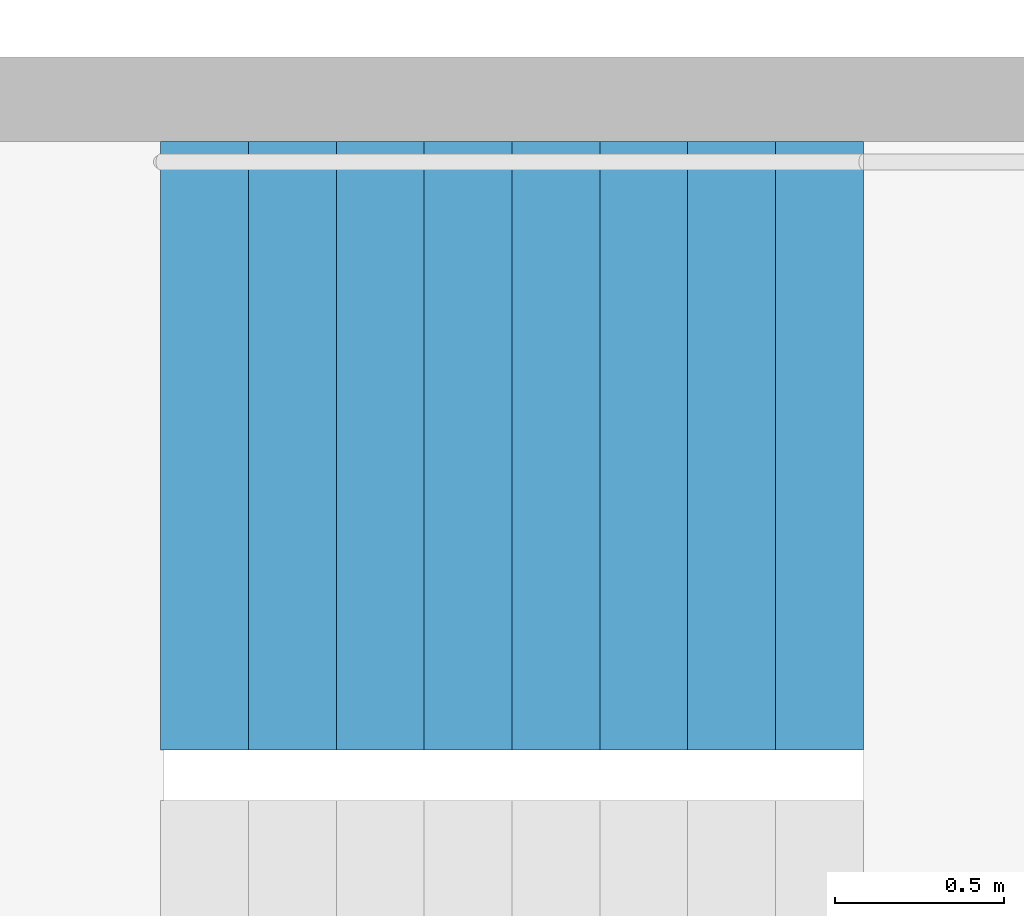
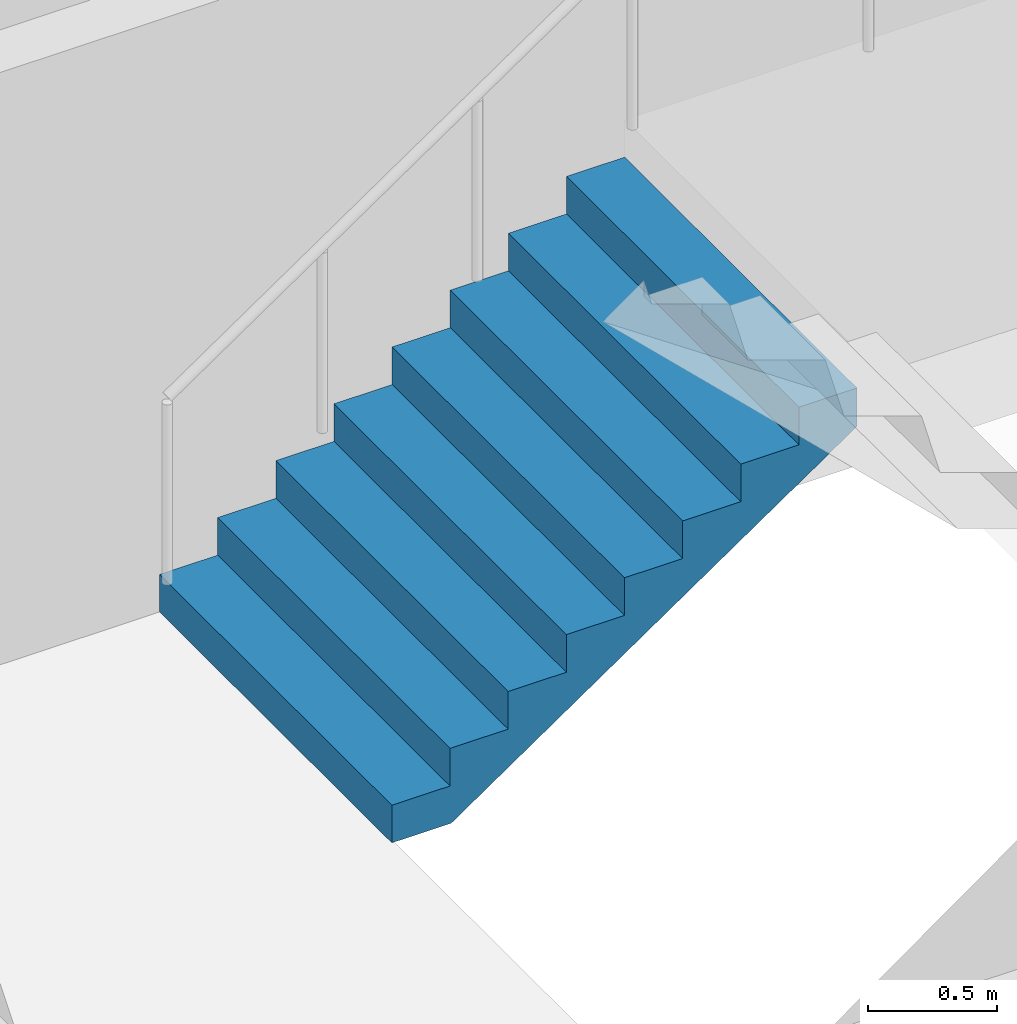
# One storey, part 26 of 29: 1 stair flight, 1 element without a shape of its own.
"""IFC4 building model written with IfcOpenShell, lengths in metres."""

from ifc_helpers import new_model, si_unit, direction, frame, origin, place, context, subcontext, project, spatial, triangles, material, type_object, element, aggregate, save


model = new_model("IFC4")

# Units and contexts
model_context = context("Model", 3, precision=1e-05, world=origin(), true_north=direction((0.0, 1.0)))
body_context = subcontext(model_context, "Body", "Model", "MODEL_VIEW")
ifc_project = project(units=[si_unit("LENGTHUNIT", "METRE"), si_unit("AREAUNIT", "SQUARE_METRE"), si_unit("VOLUMEUNIT", "CUBIC_METRE"), si_unit("PLANEANGLEUNIT", "RADIAN"), si_unit("MASSUNIT", "GRAM", prefix="KILO")], contexts=[model_context])

# Site, building, storey
site_placement = place(None, origin())
site = spatial("IfcSite", under=ifc_project, at=site_placement, CompositionType="ELEMENT")
building_placement = place(site_placement, origin())
building = spatial("IfcBuilding", under=site, at=building_placement, Name="Hakoniwa Tower and Hamabe Station Hall", CompositionType="ELEMENT")
storey_placement = place(building_placement, frame((0.0, 0.0, 110.60009765625)))
storey = spatial("IfcBuildingStorey", under=building, at=storey_placement, Name="L31", CompositionType="ELEMENT", Elevation=110.60009765625)

# Stair, stair flight
ifc_material_1 = material(Name="Concrete C40", Category="concrete")
stair_type = type_object("IfcStairType", Name="ESCAPE STAIR 1800", PredefinedType="HALF_TURN_STAIR", material=ifc_material_1)
stair_placement = place(storey_placement, origin())
stair = element("IfcStair", 1, at=stair_placement, inside=storey, type_object=stair_type, Name="Escape stair ST-4 L31", PredefinedType="HALF_TURN_STAIR")
ifc_material_2 = material(Name="Concrete C40", Category="concrete")
stair_flight_type = type_object("IfcStairFlightType", Name="STAIR FLIGHT 1800", PredefinedType="STRAIGHT", material=ifc_material_2)
stair_flight_placement = place(storey_placement, frame((23.39990234375, -4.64990234375, 0.0), z_axis=(0.0, 0.0, 1.0), x_axis=(1.0, 0.0, 0.0)))
stair_flight = element("IfcStairFlight", 2, at=stair_flight_placement, type_object=stair_flight_type, Name="ST-4 flight 1", NumberOfRisers=9, NumberOfTreads=8, PredefinedType="STRAIGHT", RiserHeight=0.177777778, TreadLength=0.26, context=body_context, shape_type="Tessellation", body=[
    triangles([(0.0, 0.89990234375, 0.0), (0.260009765625, 0.89990234375, 0.0), (0.265625, 0.89990234375, 0.0), (0.52001953125, 0.89990234375, 0.174072265625), (0.780029296875, 0.89990234375, 0.351806640625), (1.0400390625, 0.89990234375, 0.529541015625), (1.300048828125, 0.89990234375, 0.707275390625), (1.56005859375, 0.89990234375, 0.885009765625), (1.820068359375, 0.89990234375, 1.062744140625), (2.080078125, 0.89990234375, 1.24072265625), (2.080078125, 0.89990234375, 1.422119140625), (1.820068359375, 0.89990234375, 1.422119140625), (1.820068359375, 0.89990234375, 1.244384765625), (1.56005859375, 0.89990234375, 1.244384765625), (1.56005859375, 0.89990234375, 1.066650390625), (1.300048828125, 0.89990234375, 1.066650390625), (1.300048828125, 0.89990234375, 0.888916015625), (1.0400390625, 0.89990234375, 0.888916015625), (1.0400390625, 0.89990234375, 0.711181640625), (0.780029296875, 0.89990234375, 0.711181640625), (0.780029296875, 0.89990234375, 0.533447265625), (0.52001953125, 0.89990234375, 0.533447265625), (0.52001953125, 0.89990234375, 0.35546875), (0.265625, 0.89990234375, 0.35546875), (0.260009765625, 0.89990234375, 0.35546875), (0.260009765625, 0.89990234375, 0.177734375), (0.0, 0.89990234375, 0.177734375), (0.0, 0.06005859375, 0.0), (0.260009765625, 0.06005859375, 0.0), (0.265625, 0.06005859375, 0.0), (0.52001953125, 0.06005859375, 0.174072265625), (0.780029296875, 0.06005859375, 0.351806640625), (1.0400390625, 0.06005859375, 0.529541015625), (1.300048828125, 0.06005859375, 0.707275390625), (1.56005859375, 0.06005859375, 0.885009765625), (1.820068359375, 0.06005859375, 1.062744140625), (2.080078125, 0.06005859375, 1.24072265625), (2.080078125, 0.06005859375, 1.422119140625), (1.820068359375, 0.06005859375, 1.422119140625), (1.820068359375, 0.06005859375, 1.244384765625), (1.56005859375, 0.06005859375, 1.244384765625), (1.56005859375, 0.06005859375, 1.066650390625), (1.300048828125, 0.06005859375, 1.066650390625), (1.300048828125, 0.06005859375, 0.888916015625), (1.0400390625, 0.06005859375, 0.888916015625), (1.0400390625, 0.06005859375, 0.711181640625), (0.780029296875, 0.06005859375, 0.711181640625), (0.780029296875, 0.06005859375, 0.533447265625), (0.52001953125, 0.06005859375, 0.533447265625), (0.52001953125, 0.06005859375, 0.35546875), (0.265625, 0.06005859375, 0.35546875), (0.260009765625, 0.06005859375, 0.35546875), (0.260009765625, 0.06005859375, 0.177734375), (0.0, 0.06005859375, 0.177734375), (0.0, 0.04296875, 0.0), (0.260009765625, 0.04296875, 0.0), (0.265625, 0.04296875, 0.0), (0.52001953125, 0.04296875, 0.174072265625), (0.780029296875, 0.04296875, 0.351806640625), (1.0400390625, 0.04296875, 0.529541015625), (1.300048828125, 0.04296875, 0.707275390625), (1.56005859375, 0.04296875, 0.885009765625), (1.820068359375, 0.04296875, 1.062744140625), (2.080078125, 0.04296875, 1.24072265625), (2.080078125, 0.04296875, 1.422119140625), (1.820068359375, 0.04296875, 1.422119140625), (1.820068359375, 0.04296875, 1.244384765625), (1.56005859375, 0.04296875, 1.244384765625), (1.56005859375, 0.04296875, 1.066650390625), (1.300048828125, 0.04296875, 1.066650390625), (1.300048828125, 0.04296875, 0.888916015625), (1.0400390625, 0.04296875, 0.888916015625), (1.0400390625, 0.04296875, 0.711181640625), (0.780029296875, 0.04296875, 0.711181640625), (0.780029296875, 0.04296875, 0.533447265625), (0.52001953125, 0.04296875, 0.533447265625), (0.52001953125, 0.04296875, 0.35546875), (0.265625, 0.04296875, 0.35546875), (0.260009765625, 0.04296875, 0.35546875), (0.260009765625, 0.04296875, 0.177734375), (0.0, 0.04296875, 0.177734375), (0.0, 0.025634765625, 0.0), (0.260009765625, 0.025634765625, 0.0), (0.265625, 0.025634765625, 0.0), (0.52001953125, 0.025634765625, 0.174072265625), (0.780029296875, 0.025634765625, 0.351806640625), (1.0400390625, 0.025634765625, 0.529541015625), (1.300048828125, 0.025634765625, 0.707275390625), (1.56005859375, 0.025634765625, 0.885009765625), (1.820068359375, 0.025634765625, 1.062744140625), (2.080078125, 0.025634765625, 1.24072265625), (2.080078125, 0.025634765625, 1.422119140625), (1.820068359375, 0.025634765625, 1.422119140625), (1.820068359375, 0.025634765625, 1.244384765625), (1.56005859375, 0.025634765625, 1.244384765625), (1.56005859375, 0.025634765625, 1.066650390625), (1.300048828125, 0.025634765625, 1.066650390625), (1.300048828125, 0.025634765625, 0.888916015625), (1.0400390625, 0.025634765625, 0.888916015625), (1.0400390625, 0.025634765625, 0.711181640625), (0.780029296875, 0.025634765625, 0.711181640625), (0.780029296875, 0.025634765625, 0.533447265625), (0.52001953125, 0.025634765625, 0.533447265625), (0.52001953125, 0.025634765625, 0.35546875), (0.265625, 0.025634765625, 0.35546875), (0.260009765625, 0.025634765625, 0.35546875), (0.260009765625, 0.025634765625, 0.177734375), (0.0, 0.025634765625, 0.177734375), (0.0, 0.008544921875, 0.0), (0.260009765625, 0.008544921875, 0.0), (0.265625, 0.008544921875, 0.0), (0.52001953125, 0.008544921875, 0.174072265625), (0.780029296875, 0.008544921875, 0.351806640625), (1.0400390625, 0.008544921875, 0.529541015625), (1.300048828125, 0.008544921875, 0.707275390625), (1.56005859375, 0.008544921875, 0.885009765625), (1.820068359375, 0.008544921875, 1.062744140625), (2.080078125, 0.008544921875, 1.24072265625), (2.080078125, 0.008544921875, 1.422119140625), (1.820068359375, 0.008544921875, 1.422119140625), (1.820068359375, 0.008544921875, 1.244384765625), (1.56005859375, 0.008544921875, 1.244384765625), (1.56005859375, 0.008544921875, 1.066650390625), (1.300048828125, 0.008544921875, 1.066650390625), (1.300048828125, 0.008544921875, 0.888916015625), (1.0400390625, 0.008544921875, 0.888916015625), (1.0400390625, 0.008544921875, 0.711181640625), (0.780029296875, 0.008544921875, 0.711181640625), (0.780029296875, 0.008544921875, 0.533447265625), (0.52001953125, 0.008544921875, 0.533447265625), (0.52001953125, 0.008544921875, 0.35546875), (0.265625, 0.008544921875, 0.35546875), (0.260009765625, 0.008544921875, 0.35546875), (0.260009765625, 0.008544921875, 0.177734375), (0.0, 0.008544921875, 0.177734375), (0.0, -0.008544921875, 0.0), (0.260009765625, -0.008544921875, 0.0), (0.265625, -0.008544921875, 0.0), (0.52001953125, -0.008544921875, 0.174072265625), (0.780029296875, -0.008544921875, 0.351806640625), (1.0400390625, -0.008544921875, 0.529541015625), (1.300048828125, -0.008544921875, 0.707275390625), (1.56005859375, -0.008544921875, 0.885009765625), (1.820068359375, -0.008544921875, 1.062744140625), (2.080078125, -0.008544921875, 1.24072265625), (2.080078125, -0.008544921875, 1.422119140625), (1.820068359375, -0.008544921875, 1.422119140625), (1.820068359375, -0.008544921875, 1.244384765625), (1.56005859375, -0.008544921875, 1.244384765625), (1.56005859375, -0.008544921875, 1.066650390625), (1.300048828125, -0.008544921875, 1.066650390625), (1.300048828125, -0.008544921875, 0.888916015625), (1.0400390625, -0.008544921875, 0.888916015625), (1.0400390625, -0.008544921875, 0.711181640625), (0.780029296875, -0.008544921875, 0.711181640625), (0.780029296875, -0.008544921875, 0.533447265625), (0.52001953125, -0.008544921875, 0.533447265625), (0.52001953125, -0.008544921875, 0.35546875), (0.265625, -0.008544921875, 0.35546875), (0.260009765625, -0.008544921875, 0.35546875), (0.260009765625, -0.008544921875, 0.177734375), (0.0, -0.008544921875, 0.177734375), (0.0, -0.025634765625, 0.0), (0.260009765625, -0.025634765625, 0.0), (0.265625, -0.025634765625, 0.0), (0.52001953125, -0.025634765625, 0.174072265625), (0.780029296875, -0.025634765625, 0.351806640625), (1.0400390625, -0.025634765625, 0.529541015625), (1.300048828125, -0.025634765625, 0.707275390625), (1.56005859375, -0.025634765625, 0.885009765625), (1.820068359375, -0.025634765625, 1.062744140625), (2.080078125, -0.025634765625, 1.24072265625), (2.080078125, -0.025634765625, 1.422119140625), (1.820068359375, -0.025634765625, 1.422119140625), (1.820068359375, -0.025634765625, 1.244384765625), (1.56005859375, -0.025634765625, 1.244384765625), (1.56005859375, -0.025634765625, 1.066650390625), (1.300048828125, -0.025634765625, 1.066650390625), (1.300048828125, -0.025634765625, 0.888916015625), (1.0400390625, -0.025634765625, 0.888916015625), (1.0400390625, -0.025634765625, 0.711181640625), (0.780029296875, -0.025634765625, 0.711181640625), (0.780029296875, -0.025634765625, 0.533447265625), (0.52001953125, -0.025634765625, 0.533447265625), (0.52001953125, -0.025634765625, 0.35546875), (0.265625, -0.025634765625, 0.35546875), (0.260009765625, -0.025634765625, 0.35546875), (0.260009765625, -0.025634765625, 0.177734375), (0.0, -0.025634765625, 0.177734375), (0.0, -0.04296875, 0.0), (0.260009765625, -0.04296875, 0.0), (0.265625, -0.04296875, 0.0), (0.52001953125, -0.04296875, 0.174072265625), (0.780029296875, -0.04296875, 0.351806640625), (1.0400390625, -0.04296875, 0.529541015625), (1.300048828125, -0.04296875, 0.707275390625), (1.56005859375, -0.04296875, 0.885009765625), (1.820068359375, -0.04296875, 1.062744140625), (2.080078125, -0.04296875, 1.24072265625), (2.080078125, -0.04296875, 1.422119140625), (1.820068359375, -0.04296875, 1.422119140625), (1.820068359375, -0.04296875, 1.244384765625), (1.56005859375, -0.04296875, 1.244384765625), (1.56005859375, -0.04296875, 1.066650390625), (1.300048828125, -0.04296875, 1.066650390625), (1.300048828125, -0.04296875, 0.888916015625), (1.0400390625, -0.04296875, 0.888916015625), (1.0400390625, -0.04296875, 0.711181640625), (0.780029296875, -0.04296875, 0.711181640625), (0.780029296875, -0.04296875, 0.533447265625), (0.52001953125, -0.04296875, 0.533447265625), (0.52001953125, -0.04296875, 0.35546875), (0.265625, -0.04296875, 0.35546875), (0.260009765625, -0.04296875, 0.35546875), (0.260009765625, -0.04296875, 0.177734375), (0.0, -0.04296875, 0.177734375), (0.0, -0.06005859375, 0.0), (0.260009765625, -0.06005859375, 0.0), (0.265625, -0.06005859375, 0.0), (0.52001953125, -0.06005859375, 0.174072265625), (0.780029296875, -0.06005859375, 0.351806640625), (1.0400390625, -0.06005859375, 0.529541015625), (1.300048828125, -0.06005859375, 0.707275390625), (1.56005859375, -0.06005859375, 0.885009765625), (1.820068359375, -0.06005859375, 1.062744140625), (2.080078125, -0.06005859375, 1.24072265625), (2.080078125, -0.06005859375, 1.422119140625), (1.820068359375, -0.06005859375, 1.422119140625), (1.820068359375, -0.06005859375, 1.244384765625), (1.56005859375, -0.06005859375, 1.244384765625), (1.56005859375, -0.06005859375, 1.066650390625), (1.300048828125, -0.06005859375, 1.066650390625), (1.300048828125, -0.06005859375, 0.888916015625), (1.0400390625, -0.06005859375, 0.888916015625), (1.0400390625, -0.06005859375, 0.711181640625), (0.780029296875, -0.06005859375, 0.711181640625), (0.780029296875, -0.06005859375, 0.533447265625), (0.52001953125, -0.06005859375, 0.533447265625), (0.52001953125, -0.06005859375, 0.35546875), (0.265625, -0.06005859375, 0.35546875), (0.260009765625, -0.06005859375, 0.35546875), (0.260009765625, -0.06005859375, 0.177734375), (0.0, -0.06005859375, 0.177734375), (0.0, -0.89990234375, 0.0), (0.260009765625, -0.89990234375, 0.0), (0.265625, -0.89990234375, 0.0), (0.52001953125, -0.89990234375, 0.174072265625), (0.780029296875, -0.89990234375, 0.351806640625), (1.0400390625, -0.89990234375, 0.529541015625), (1.300048828125, -0.89990234375, 0.707275390625), (1.56005859375, -0.89990234375, 0.885009765625), (1.820068359375, -0.89990234375, 1.062744140625), (2.080078125, -0.89990234375, 1.24072265625), (2.080078125, -0.89990234375, 1.422119140625), (1.820068359375, -0.89990234375, 1.422119140625), (1.820068359375, -0.89990234375, 1.244384765625), (1.56005859375, -0.89990234375, 1.244384765625), (1.56005859375, -0.89990234375, 1.066650390625), (1.300048828125, -0.89990234375, 1.066650390625), (1.300048828125, -0.89990234375, 0.888916015625), (1.0400390625, -0.89990234375, 0.888916015625), (1.0400390625, -0.89990234375, 0.711181640625), (0.780029296875, -0.89990234375, 0.711181640625), (0.780029296875, -0.89990234375, 0.533447265625), (0.52001953125, -0.89990234375, 0.533447265625), (0.52001953125, -0.89990234375, 0.35546875), (0.265625, -0.89990234375, 0.35546875), (0.260009765625, -0.89990234375, 0.35546875), (0.260009765625, -0.89990234375, 0.177734375), (0.0, -0.89990234375, 0.177734375)], [[2, 27, 26], [245, 269, 270], [2, 1, 27], [245, 270, 244], [3, 25, 24], [246, 267, 268], [3, 26, 25], [246, 268, 269], [3, 2, 26], [246, 269, 245], [4, 24, 23], [247, 266, 267], [4, 3, 24], [247, 267, 246], [5, 22, 21], [248, 264, 265], [5, 23, 22], [248, 265, 266], [5, 4, 23], [248, 266, 247], [6, 20, 19], [249, 262, 263], [6, 21, 20], [249, 263, 264], [6, 5, 21], [249, 264, 248], [7, 18, 17], [250, 260, 261], [7, 19, 18], [250, 261, 262], [7, 6, 19], [250, 262, 249], [8, 16, 15], [251, 258, 259], [8, 17, 16], [251, 259, 260], [8, 7, 17], [251, 260, 250], [9, 14, 13], [252, 256, 257], [9, 15, 14], [252, 257, 258], [9, 8, 15], [252, 258, 251], [10, 12, 11], [253, 254, 255], [10, 13, 12], [253, 255, 256], [10, 9, 13], [253, 256, 252], [1, 2, 29], [1, 29, 28], [28, 29, 56], [28, 56, 55], [55, 56, 83], [55, 83, 82], [82, 83, 110], [82, 110, 109], [109, 110, 137], [109, 137, 136], [136, 137, 164], [136, 164, 163], [163, 164, 191], [163, 191, 190], [190, 191, 218], [190, 218, 217], [217, 218, 245], [217, 245, 244], [2, 3, 30], [2, 30, 29], [29, 30, 57], [29, 57, 56], [56, 57, 84], [56, 84, 83], [83, 84, 111], [83, 111, 110], [110, 111, 138], [110, 138, 137], [137, 138, 165], [137, 165, 164], [164, 165, 192], [164, 192, 191], [191, 192, 219], [191, 219, 218], [218, 219, 246], [218, 246, 245], [3, 4, 31], [3, 31, 30], [30, 31, 58], [30, 58, 57], [57, 58, 85], [57, 85, 84], [84, 85, 112], [84, 112, 111], [111, 112, 139], [111, 139, 138], [138, 139, 166], [138, 166, 165], [165, 166, 193], [165, 193, 192], [192, 193, 220], [192, 220, 219], [219, 220, 247], [219, 247, 246], [4, 5, 32], [4, 32, 31], [31, 32, 59], [31, 59, 58], [58, 59, 86], [58, 86, 85], [85, 86, 113], [85, 113, 112], [112, 113, 140], [112, 140, 139], [139, 140, 167], [139, 167, 166], [166, 167, 194], [166, 194, 193], [193, 194, 221], [193, 221, 220], [220, 221, 248], [220, 248, 247], [5, 6, 33], [5, 33, 32], [32, 33, 60], [32, 60, 59], [59, 60, 87], [59, 87, 86], [86, 87, 114], [86, 114, 113], [113, 114, 141], [113, 141, 140], [140, 141, 168], [140, 168, 167], [167, 168, 195], [167, 195, 194], [194, 195, 222], [194, 222, 221], [221, 222, 249], [221, 249, 248], [6, 7, 34], [6, 34, 33], [33, 34, 61], [33, 61, 60], [60, 61, 88], [60, 88, 87], [87, 88, 115], [87, 115, 114], [114, 115, 142], [114, 142, 141], [141, 142, 169], [141, 169, 168], [168, 169, 196], [168, 196, 195], [195, 196, 223], [195, 223, 222], [222, 223, 250], [222, 250, 249], [7, 8, 35], [7, 35, 34], [34, 35, 62], [34, 62, 61], [61, 62, 89], [61, 89, 88], [88, 89, 116], [88, 116, 115], [115, 116, 143], [115, 143, 142], [142, 143, 170], [142, 170, 169], [169, 170, 197], [169, 197, 196], [196, 197, 224], [196, 224, 223], [223, 224, 251], [223, 251, 250], [8, 9, 36], [8, 36, 35], [35, 36, 63], [35, 63, 62], [62, 63, 90], [62, 90, 89], [89, 90, 117], [89, 117, 116], [116, 117, 144], [116, 144, 143], [143, 144, 171], [143, 171, 170], [170, 171, 198], [170, 198, 197], [197, 198, 225], [197, 225, 224], [224, 225, 252], [224, 252, 251], [9, 10, 37], [9, 37, 36], [36, 37, 64], [36, 64, 63], [63, 64, 91], [63, 91, 90], [90, 91, 118], [90, 118, 117], [117, 118, 145], [117, 145, 144], [144, 145, 172], [144, 172, 171], [171, 172, 199], [171, 199, 198], [198, 199, 226], [198, 226, 225], [225, 226, 253], [225, 253, 252], [10, 11, 38], [10, 38, 37], [37, 38, 65], [37, 65, 64], [64, 65, 92], [64, 92, 91], [91, 92, 119], [91, 119, 118], [118, 119, 146], [118, 146, 145], [145, 146, 173], [145, 173, 172], [172, 173, 200], [172, 200, 199], [199, 200, 227], [199, 227, 226], [226, 227, 254], [226, 254, 253], [11, 12, 39], [11, 39, 38], [38, 39, 66], [38, 66, 65], [65, 66, 93], [65, 93, 92], [92, 93, 120], [92, 120, 119], [119, 120, 147], [119, 147, 146], [146, 147, 174], [146, 174, 173], [173, 174, 201], [173, 201, 200], [200, 201, 228], [200, 228, 227], [227, 228, 255], [227, 255, 254], [12, 13, 40], [12, 40, 39], [39, 40, 67], [39, 67, 66], [66, 67, 94], [66, 94, 93], [93, 94, 121], [93, 121, 120], [120, 121, 148], [120, 148, 147], [147, 148, 175], [147, 175, 174], [174, 175, 202], [174, 202, 201], [201, 202, 229], [201, 229, 228], [228, 229, 256], [228, 256, 255], [13, 14, 41], [13, 41, 40], [40, 41, 68], [40, 68, 67], [67, 68, 95], [67, 95, 94], [94, 95, 122], [94, 122, 121], [121, 122, 149], [121, 149, 148], [148, 149, 176], [148, 176, 175], [175, 176, 203], [175, 203, 202], [202, 203, 230], [202, 230, 229], [229, 230, 257], [229, 257, 256], [14, 15, 42], [14, 42, 41], [41, 42, 69], [41, 69, 68], [68, 69, 96], [68, 96, 95], [95, 96, 123], [95, 123, 122], [122, 123, 150], [122, 150, 149], [149, 150, 177], [149, 177, 176], [176, 177, 204], [176, 204, 203], [203, 204, 231], [203, 231, 230], [230, 231, 258], [230, 258, 257], [15, 16, 43], [15, 43, 42], [42, 43, 70], [42, 70, 69], [69, 70, 97], [69, 97, 96], [96, 97, 124], [96, 124, 123], [123, 124, 151], [123, 151, 150], [150, 151, 178], [150, 178, 177], [177, 178, 205], [177, 205, 204], [204, 205, 232], [204, 232, 231], [231, 232, 259], [231, 259, 258], [16, 17, 44], [16, 44, 43], [43, 44, 71], [43, 71, 70], [70, 71, 98], [70, 98, 97], [97, 98, 125], [97, 125, 124], [124, 125, 152], [124, 152, 151], [151, 152, 179], [151, 179, 178], [178, 179, 206], [178, 206, 205], [205, 206, 233], [205, 233, 232], [232, 233, 260], [232, 260, 259], [17, 18, 45], [17, 45, 44], [44, 45, 72], [44, 72, 71], [71, 72, 99], [71, 99, 98], [98, 99, 126], [98, 126, 125], [125, 126, 153], [125, 153, 152], [152, 153, 180], [152, 180, 179], [179, 180, 207], [179, 207, 206], [206, 207, 234], [206, 234, 233], [233, 234, 261], [233, 261, 260], [18, 19, 46], [18, 46, 45], [45, 46, 73], [45, 73, 72], [72, 73, 100], [72, 100, 99], [99, 100, 127], [99, 127, 126], [126, 127, 154], [126, 154, 153], [153, 154, 181], [153, 181, 180], [180, 181, 208], [180, 208, 207], [207, 208, 235], [207, 235, 234], [234, 235, 262], [234, 262, 261], [19, 20, 47], [19, 47, 46], [46, 47, 74], [46, 74, 73], [73, 74, 101], [73, 101, 100], [100, 101, 128], [100, 128, 127], [127, 128, 155], [127, 155, 154], [154, 155, 182], [154, 182, 181], [181, 182, 209], [181, 209, 208], [208, 209, 236], [208, 236, 235], [235, 236, 263], [235, 263, 262], [20, 21, 48], [20, 48, 47], [47, 48, 75], [47, 75, 74], [74, 75, 102], [74, 102, 101], [101, 102, 129], [101, 129, 128], [128, 129, 156], [128, 156, 155], [155, 156, 183], [155, 183, 182], [182, 183, 210], [182, 210, 209], [209, 210, 237], [209, 237, 236], [236, 237, 264], [236, 264, 263], [21, 22, 49], [21, 49, 48], [48, 49, 76], [48, 76, 75], [75, 76, 103], [75, 103, 102], [102, 103, 130], [102, 130, 129], [129, 130, 157], [129, 157, 156], [156, 157, 184], [156, 184, 183], [183, 184, 211], [183, 211, 210], [210, 211, 238], [210, 238, 237], [237, 238, 265], [237, 265, 264], [22, 23, 50], [22, 50, 49], [49, 50, 77], [49, 77, 76], [76, 77, 104], [76, 104, 103], [103, 104, 131], [103, 131, 130], [130, 131, 158], [130, 158, 157], [157, 158, 185], [157, 185, 184], [184, 185, 212], [184, 212, 211], [211, 212, 239], [211, 239, 238], [238, 239, 266], [238, 266, 265], [23, 24, 51], [23, 51, 50], [50, 51, 78], [50, 78, 77], [77, 78, 105], [77, 105, 104], [104, 105, 132], [104, 132, 131], [131, 132, 159], [131, 159, 158], [158, 159, 186], [158, 186, 185], [185, 186, 213], [185, 213, 212], [212, 213, 240], [212, 240, 239], [239, 240, 267], [239, 267, 266], [24, 25, 52], [24, 52, 51], [51, 52, 79], [51, 79, 78], [78, 79, 106], [78, 106, 105], [105, 106, 133], [105, 133, 132], [132, 133, 160], [132, 160, 159], [159, 160, 187], [159, 187, 186], [186, 187, 214], [186, 214, 213], [213, 214, 241], [213, 241, 240], [240, 241, 268], [240, 268, 267], [25, 26, 53], [25, 53, 52], [52, 53, 80], [52, 80, 79], [79, 80, 107], [79, 107, 106], [106, 107, 134], [106, 134, 133], [133, 134, 161], [133, 161, 160], [160, 161, 188], [160, 188, 187], [187, 188, 215], [187, 215, 214], [214, 215, 242], [214, 242, 241], [241, 242, 269], [241, 269, 268], [26, 27, 54], [26, 54, 53], [53, 54, 81], [53, 81, 80], [80, 81, 108], [80, 108, 107], [107, 108, 135], [107, 135, 134], [134, 135, 162], [134, 162, 161], [161, 162, 189], [161, 189, 188], [188, 189, 216], [188, 216, 215], [215, 216, 243], [215, 243, 242], [242, 243, 270], [242, 270, 269], [27, 1, 28], [27, 28, 54], [54, 28, 55], [54, 55, 81], [81, 55, 82], [81, 82, 108], [108, 82, 109], [108, 109, 135], [135, 109, 136], [135, 136, 162], [162, 136, 163], [162, 163, 189], [189, 163, 190], [189, 190, 216], [216, 190, 217], [216, 217, 243], [243, 217, 244], [243, 244, 270]], closed=True),
])
aggregate(stair, [stair_flight])

save(model, "model.ifc")
